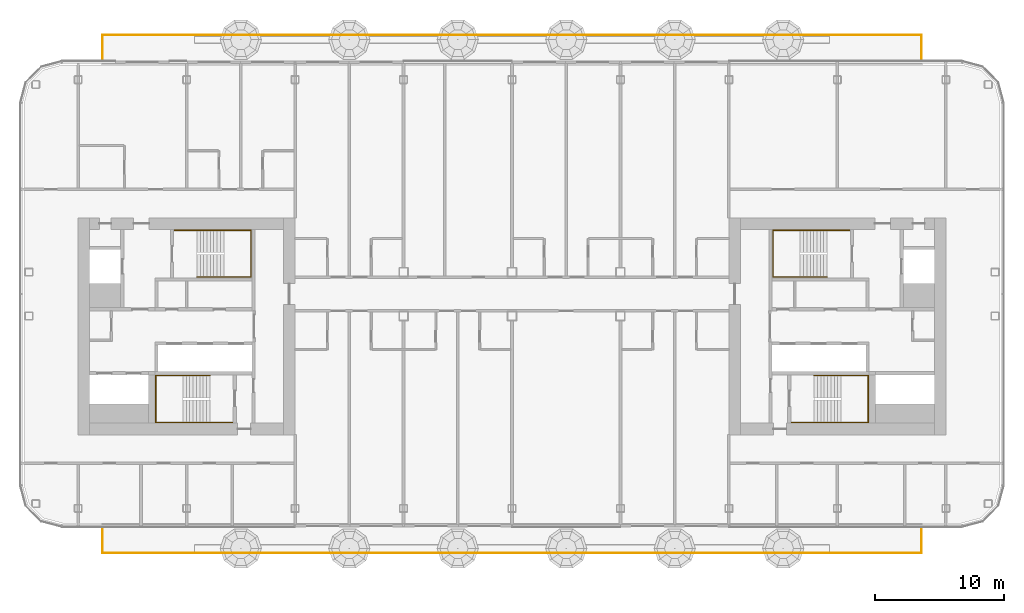
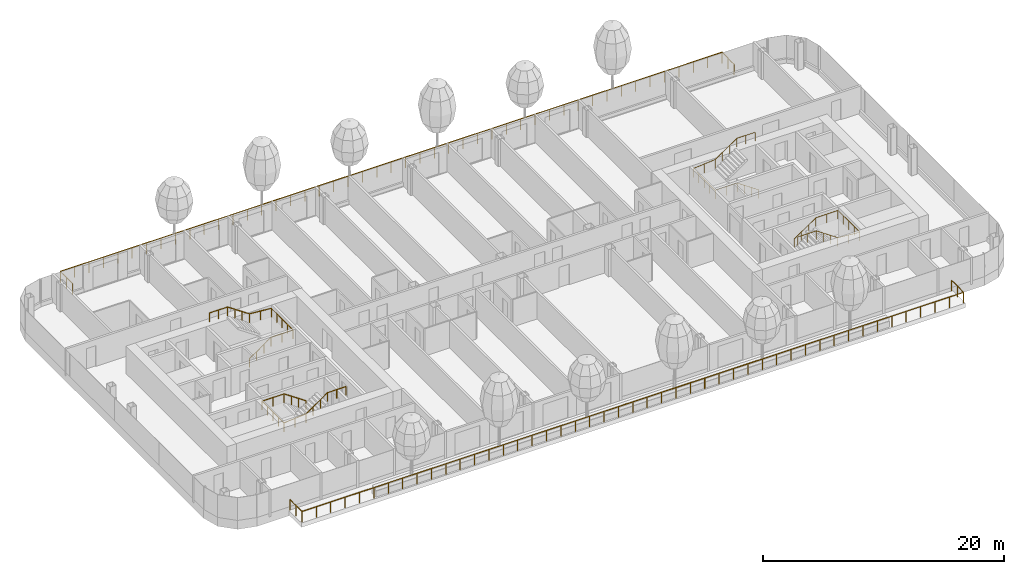
# One storey, part 25 of 29: 6 railings.
"""IFC4 building model written with IfcOpenShell, lengths in metres."""

from ifc_helpers import new_model, si_unit, direction, frame, origin, origin_2d, place, context, subcontext, project, spatial, circle, extrude, material, type_object, element, save


model = new_model("IFC4")

# Units and contexts
model_context = context("Model", 3, precision=1e-05, world=origin(), true_north=direction((0.0, 1.0)))
body_context = subcontext(model_context, "Body", "Model", "MODEL_VIEW")
ifc_project = project(units=[si_unit("LENGTHUNIT", "METRE"), si_unit("AREAUNIT", "SQUARE_METRE"), si_unit("VOLUMEUNIT", "CUBIC_METRE"), si_unit("PLANEANGLEUNIT", "RADIAN"), si_unit("MASSUNIT", "GRAM", prefix="KILO")], contexts=[model_context])

# Site, building, storey
site_placement = place(None, origin())
site = spatial("IfcSite", under=ifc_project, at=site_placement, CompositionType="ELEMENT")
building_placement = place(site_placement, origin())
building = spatial("IfcBuilding", under=site, at=building_placement, Name="Hakoniwa Tower and Hamabe Station Hall", CompositionType="ELEMENT")
storey_placement = place(building_placement, frame((0.0, 0.0, 205.800048828125)))
storey = spatial("IfcBuildingStorey", under=building, at=storey_placement, Name="L58", CompositionType="ELEMENT", Elevation=205.800048828125)

# Railings
ifc_material_1 = material(Name="Stainless steel and laminated glass", Category="steel")
railing_type_1 = type_object("IfcRailingType", Name="BALCONY BALUSTRADE 1100", PredefinedType="BALUSTRADE", material=ifc_material_1)
railing_1_placement = place(storey_placement, frame((-31.699951171875, 20.550048828125, 0.0)))
element("IfcRailing", 1, at=railing_1_placement, inside=storey, type_object=railing_type_1, Name="Balcony balustrade", PredefinedType="BALUSTRADE", context=body_context, shape_type="SweptSolid", body=[
    extrude(circle(Radius=0.02392578125, at=origin_2d()), frame((0.0, 0.0, 1.076171875), z_axis=(0.0, 1.0, 0.0), x_axis=(-1.0, 0.0, 0.0)), (0.0, 0.0, 1.0), 2.0),
    extrude(circle(Radius=0.02392578125, at=origin_2d()), frame((0.0, 2.0, 1.076171875), z_axis=(1.0, 0.0, 0.0), x_axis=(0.0, 1.0, 0.0)), (0.0, 0.0, 1.0), 63.39990234375),
    extrude(circle(Radius=0.02392578125, at=origin_2d()), frame((63.39990234375, 2.0, 1.076171875), z_axis=(0.0, -1.0, 0.0), x_axis=(1.0, 0.0, 0.0)), (0.0, 0.0, 1.0), 2.0),
    extrude(circle(Radius=0.02099609375, at=origin_2d()), origin(), (0.0, 0.0, 1.0), 1.052001953125),
    extrude(circle(Radius=0.02099609375, at=origin_2d()), frame((0.0, 1.0, 0.0)), (0.0, 0.0, 1.0), 1.052001953125),
    extrude(circle(Radius=0.02099609375, at=origin_2d()), frame((0.0, 2.0, 0.0)), (0.0, 0.0, 1.0), 1.052001953125),
    extrude(circle(Radius=0.02099609375, at=origin_2d()), frame((1.378173828125, 2.0, 0.0)), (0.0, 0.0, 1.0), 1.052001953125),
    extrude(circle(Radius=0.02099609375, at=origin_2d()), frame((2.756591796875, 2.0, 0.0)), (0.0, 0.0, 1.0), 1.052001953125),
    extrude(circle(Radius=0.02099609375, at=origin_2d()), frame((4.134765625, 2.0, 0.0)), (0.0, 0.0, 1.0), 1.052001953125),
    extrude(circle(Radius=0.02099609375, at=origin_2d()), frame((5.512939453125, 2.0, 0.0)), (0.0, 0.0, 1.0), 1.052001953125),
    extrude(circle(Radius=0.02099609375, at=origin_2d()), frame((6.891357421875, 2.0, 0.0)), (0.0, 0.0, 1.0), 1.052001953125),
    extrude(circle(Radius=0.02099609375, at=origin_2d()), frame((8.26953125, 2.0, 0.0)), (0.0, 0.0, 1.0), 1.052001953125),
    extrude(circle(Radius=0.02099609375, at=origin_2d()), frame((9.647705078125, 2.0, 0.0)), (0.0, 0.0, 1.0), 1.052001953125),
    extrude(circle(Radius=0.02099609375, at=origin_2d()), frame((11.026123046875, 2.0, 0.0)), (0.0, 0.0, 1.0), 1.052001953125),
    extrude(circle(Radius=0.02099609375, at=origin_2d()), frame((12.404296875, 2.0, 0.0)), (0.0, 0.0, 1.0), 1.052001953125),
    extrude(circle(Radius=0.02099609375, at=origin_2d()), frame((13.782470703125, 2.0, 0.0)), (0.0, 0.0, 1.0), 1.052001953125),
    extrude(circle(Radius=0.02099609375, at=origin_2d()), frame((15.160888671875, 2.0, 0.0)), (0.0, 0.0, 1.0), 1.052001953125),
    extrude(circle(Radius=0.02099609375, at=origin_2d()), frame((16.5390625, 2.0, 0.0)), (0.0, 0.0, 1.0), 1.052001953125),
    extrude(circle(Radius=0.02099609375, at=origin_2d()), frame((17.91748046875, 2.0, 0.0)), (0.0, 0.0, 1.0), 1.052001953125),
    extrude(circle(Radius=0.02099609375, at=origin_2d()), frame((19.295654296875, 2.0, 0.0)), (0.0, 0.0, 1.0), 1.052001953125),
    extrude(circle(Radius=0.02099609375, at=origin_2d()), frame((20.673828125, 2.0, 0.0)), (0.0, 0.0, 1.0), 1.052001953125),
    extrude(circle(Radius=0.02099609375, at=origin_2d()), frame((22.05224609375, 2.0, 0.0)), (0.0, 0.0, 1.0), 1.052001953125),
    extrude(circle(Radius=0.02099609375, at=origin_2d()), frame((23.430419921875, 2.0, 0.0)), (0.0, 0.0, 1.0), 1.052001953125),
    extrude(circle(Radius=0.02099609375, at=origin_2d()), frame((24.80859375, 2.0, 0.0)), (0.0, 0.0, 1.0), 1.052001953125),
    extrude(circle(Radius=0.02099609375, at=origin_2d()), frame((26.18701171875, 2.0, 0.0)), (0.0, 0.0, 1.0), 1.052001953125),
    extrude(circle(Radius=0.02099609375, at=origin_2d()), frame((27.565185546875, 2.0, 0.0)), (0.0, 0.0, 1.0), 1.052001953125),
    extrude(circle(Radius=0.02099609375, at=origin_2d()), frame((28.943359375, 2.0, 0.0)), (0.0, 0.0, 1.0), 1.052001953125),
    extrude(circle(Radius=0.02099609375, at=origin_2d()), frame((30.32177734375, 2.0, 0.0)), (0.0, 0.0, 1.0), 1.052001953125),
    extrude(circle(Radius=0.02099609375, at=origin_2d()), frame((31.699951171875, 2.0, 0.0)), (0.0, 0.0, 1.0), 1.052001953125),
    extrude(circle(Radius=0.02099609375, at=origin_2d()), frame((33.078125, 2.0, 0.0)), (0.0, 0.0, 1.0), 1.052001953125),
    extrude(circle(Radius=0.02099609375, at=origin_2d()), frame((34.45654296875, 2.0, 0.0)), (0.0, 0.0, 1.0), 1.052001953125),
    extrude(circle(Radius=0.02099609375, at=origin_2d()), frame((35.834716796875, 2.0, 0.0)), (0.0, 0.0, 1.0), 1.052001953125),
    extrude(circle(Radius=0.02099609375, at=origin_2d()), frame((37.212890625, 2.0, 0.0)), (0.0, 0.0, 1.0), 1.052001953125),
    extrude(circle(Radius=0.02099609375, at=origin_2d()), frame((38.59130859375, 2.0, 0.0)), (0.0, 0.0, 1.0), 1.052001953125),
    extrude(circle(Radius=0.02099609375, at=origin_2d()), frame((39.969482421875, 2.0, 0.0)), (0.0, 0.0, 1.0), 1.052001953125),
    extrude(circle(Radius=0.02099609375, at=origin_2d()), frame((41.34765625, 2.0, 0.0)), (0.0, 0.0, 1.0), 1.052001953125),
    extrude(circle(Radius=0.02099609375, at=origin_2d()), frame((42.72607421875, 2.0, 0.0)), (0.0, 0.0, 1.0), 1.052001953125),
    extrude(circle(Radius=0.02099609375, at=origin_2d()), frame((44.104248046875, 2.0, 0.0)), (0.0, 0.0, 1.0), 1.052001953125),
    extrude(circle(Radius=0.02099609375, at=origin_2d()), frame((45.482421875, 2.0, 0.0)), (0.0, 0.0, 1.0), 1.052001953125),
    extrude(circle(Radius=0.02099609375, at=origin_2d()), frame((46.86083984375, 2.0, 0.0)), (0.0, 0.0, 1.0), 1.052001953125),
    extrude(circle(Radius=0.02099609375, at=origin_2d()), frame((48.239013671875, 2.0, 0.0)), (0.0, 0.0, 1.0), 1.052001953125),
    extrude(circle(Radius=0.02099609375, at=origin_2d()), frame((49.617431640625, 2.0, 0.0)), (0.0, 0.0, 1.0), 1.052001953125),
    extrude(circle(Radius=0.02099609375, at=origin_2d()), frame((50.99560546875, 2.0, 0.0)), (0.0, 0.0, 1.0), 1.052001953125),
    extrude(circle(Radius=0.02099609375, at=origin_2d()), frame((52.373779296875, 2.0, 0.0)), (0.0, 0.0, 1.0), 1.052001953125),
    extrude(circle(Radius=0.02099609375, at=origin_2d()), frame((53.752197265625, 2.0, 0.0)), (0.0, 0.0, 1.0), 1.052001953125),
    extrude(circle(Radius=0.02099609375, at=origin_2d()), frame((55.13037109375, 2.0, 0.0)), (0.0, 0.0, 1.0), 1.052001953125),
    extrude(circle(Radius=0.02099609375, at=origin_2d()), frame((56.508544921875, 2.0, 0.0)), (0.0, 0.0, 1.0), 1.052001953125),
    extrude(circle(Radius=0.02099609375, at=origin_2d()), frame((57.886962890625, 2.0, 0.0)), (0.0, 0.0, 1.0), 1.052001953125),
    extrude(circle(Radius=0.02099609375, at=origin_2d()), frame((59.26513671875, 2.0, 0.0)), (0.0, 0.0, 1.0), 1.052001953125),
    extrude(circle(Radius=0.02099609375, at=origin_2d()), frame((60.643310546875, 2.0, 0.0)), (0.0, 0.0, 1.0), 1.052001953125),
    extrude(circle(Radius=0.02099609375, at=origin_2d()), frame((62.021728515625, 2.0, 0.0)), (0.0, 0.0, 1.0), 1.052001953125),
    extrude(circle(Radius=0.02099609375, at=origin_2d()), frame((63.39990234375, 2.0, 0.0)), (0.0, 0.0, 1.0), 1.052001953125),
    extrude(circle(Radius=0.02099609375, at=origin_2d()), frame((63.39990234375, 1.0, 0.0)), (0.0, 0.0, 1.0), 1.052001953125),
    extrude(circle(Radius=0.02099609375, at=origin_2d()), frame((63.39990234375, 0.0, 0.0)), (0.0, 0.0, 1.0), 1.052001953125),
])
railing_2_placement = place(storey_placement, frame((-31.699951171875, -15.550048828125, 0.0)))
element("IfcRailing", 2, at=railing_2_placement, inside=storey, type_object=railing_type_1, Name="Balcony balustrade", PredefinedType="BALUSTRADE", context=body_context, shape_type="SweptSolid", body=[
    extrude(circle(Radius=0.02392578125, at=origin_2d()), frame((0.0, 0.0, 1.076171875), z_axis=(0.0, -1.0, 0.0), x_axis=(1.0, 0.0, 0.0)), (0.0, 0.0, 1.0), 2.0),
    extrude(circle(Radius=0.02392578125, at=origin_2d()), frame((0.0, -2.0, 1.076171875), z_axis=(1.0, 0.0, 0.0), x_axis=(0.0, 1.0, 0.0)), (0.0, 0.0, 1.0), 63.39990234375),
    extrude(circle(Radius=0.02392578125, at=origin_2d()), frame((63.39990234375, -2.0, 1.076171875), z_axis=(0.0, 1.0, 0.0), x_axis=(-1.0, 0.0, 0.0)), (0.0, 0.0, 1.0), 2.0),
    extrude(circle(Radius=0.02099609375, at=origin_2d()), origin(), (0.0, 0.0, 1.0), 1.052001953125),
    extrude(circle(Radius=0.02099609375, at=origin_2d()), frame((0.0, -1.0, 0.0)), (0.0, 0.0, 1.0), 1.052001953125),
    extrude(circle(Radius=0.02099609375, at=origin_2d()), frame((0.0, -2.0, 0.0)), (0.0, 0.0, 1.0), 1.052001953125),
    extrude(circle(Radius=0.02099609375, at=origin_2d()), frame((1.378173828125, -2.0, 0.0)), (0.0, 0.0, 1.0), 1.052001953125),
    extrude(circle(Radius=0.02099609375, at=origin_2d()), frame((2.756591796875, -2.0, 0.0)), (0.0, 0.0, 1.0), 1.052001953125),
    extrude(circle(Radius=0.02099609375, at=origin_2d()), frame((4.134765625, -2.0, 0.0)), (0.0, 0.0, 1.0), 1.052001953125),
    extrude(circle(Radius=0.02099609375, at=origin_2d()), frame((5.512939453125, -2.0, 0.0)), (0.0, 0.0, 1.0), 1.052001953125),
    extrude(circle(Radius=0.02099609375, at=origin_2d()), frame((6.891357421875, -2.0, 0.0)), (0.0, 0.0, 1.0), 1.052001953125),
    extrude(circle(Radius=0.02099609375, at=origin_2d()), frame((8.26953125, -2.0, 0.0)), (0.0, 0.0, 1.0), 1.052001953125),
    extrude(circle(Radius=0.02099609375, at=origin_2d()), frame((9.647705078125, -2.0, 0.0)), (0.0, 0.0, 1.0), 1.052001953125),
    extrude(circle(Radius=0.02099609375, at=origin_2d()), frame((11.026123046875, -2.0, 0.0)), (0.0, 0.0, 1.0), 1.052001953125),
    extrude(circle(Radius=0.02099609375, at=origin_2d()), frame((12.404296875, -2.0, 0.0)), (0.0, 0.0, 1.0), 1.052001953125),
    extrude(circle(Radius=0.02099609375, at=origin_2d()), frame((13.782470703125, -2.0, 0.0)), (0.0, 0.0, 1.0), 1.052001953125),
    extrude(circle(Radius=0.02099609375, at=origin_2d()), frame((15.160888671875, -2.0, 0.0)), (0.0, 0.0, 1.0), 1.052001953125),
    extrude(circle(Radius=0.02099609375, at=origin_2d()), frame((16.5390625, -2.0, 0.0)), (0.0, 0.0, 1.0), 1.052001953125),
    extrude(circle(Radius=0.02099609375, at=origin_2d()), frame((17.91748046875, -2.0, 0.0)), (0.0, 0.0, 1.0), 1.052001953125),
    extrude(circle(Radius=0.02099609375, at=origin_2d()), frame((19.295654296875, -2.0, 0.0)), (0.0, 0.0, 1.0), 1.052001953125),
    extrude(circle(Radius=0.02099609375, at=origin_2d()), frame((20.673828125, -2.0, 0.0)), (0.0, 0.0, 1.0), 1.052001953125),
    extrude(circle(Radius=0.02099609375, at=origin_2d()), frame((22.05224609375, -2.0, 0.0)), (0.0, 0.0, 1.0), 1.052001953125),
    extrude(circle(Radius=0.02099609375, at=origin_2d()), frame((23.430419921875, -2.0, 0.0)), (0.0, 0.0, 1.0), 1.052001953125),
    extrude(circle(Radius=0.02099609375, at=origin_2d()), frame((24.80859375, -2.0, 0.0)), (0.0, 0.0, 1.0), 1.052001953125),
    extrude(circle(Radius=0.02099609375, at=origin_2d()), frame((26.18701171875, -2.0, 0.0)), (0.0, 0.0, 1.0), 1.052001953125),
    extrude(circle(Radius=0.02099609375, at=origin_2d()), frame((27.565185546875, -2.0, 0.0)), (0.0, 0.0, 1.0), 1.052001953125),
    extrude(circle(Radius=0.02099609375, at=origin_2d()), frame((28.943359375, -2.0, 0.0)), (0.0, 0.0, 1.0), 1.052001953125),
    extrude(circle(Radius=0.02099609375, at=origin_2d()), frame((30.32177734375, -2.0, 0.0)), (0.0, 0.0, 1.0), 1.052001953125),
    extrude(circle(Radius=0.02099609375, at=origin_2d()), frame((31.699951171875, -2.0, 0.0)), (0.0, 0.0, 1.0), 1.052001953125),
    extrude(circle(Radius=0.02099609375, at=origin_2d()), frame((33.078125, -2.0, 0.0)), (0.0, 0.0, 1.0), 1.052001953125),
    extrude(circle(Radius=0.02099609375, at=origin_2d()), frame((34.45654296875, -2.0, 0.0)), (0.0, 0.0, 1.0), 1.052001953125),
    extrude(circle(Radius=0.02099609375, at=origin_2d()), frame((35.834716796875, -2.0, 0.0)), (0.0, 0.0, 1.0), 1.052001953125),
    extrude(circle(Radius=0.02099609375, at=origin_2d()), frame((37.212890625, -2.0, 0.0)), (0.0, 0.0, 1.0), 1.052001953125),
    extrude(circle(Radius=0.02099609375, at=origin_2d()), frame((38.59130859375, -2.0, 0.0)), (0.0, 0.0, 1.0), 1.052001953125),
    extrude(circle(Radius=0.02099609375, at=origin_2d()), frame((39.969482421875, -2.0, 0.0)), (0.0, 0.0, 1.0), 1.052001953125),
    extrude(circle(Radius=0.02099609375, at=origin_2d()), frame((41.34765625, -2.0, 0.0)), (0.0, 0.0, 1.0), 1.052001953125),
    extrude(circle(Radius=0.02099609375, at=origin_2d()), frame((42.72607421875, -2.0, 0.0)), (0.0, 0.0, 1.0), 1.052001953125),
    extrude(circle(Radius=0.02099609375, at=origin_2d()), frame((44.104248046875, -2.0, 0.0)), (0.0, 0.0, 1.0), 1.052001953125),
    extrude(circle(Radius=0.02099609375, at=origin_2d()), frame((45.482421875, -2.0, 0.0)), (0.0, 0.0, 1.0), 1.052001953125),
    extrude(circle(Radius=0.02099609375, at=origin_2d()), frame((46.86083984375, -2.0, 0.0)), (0.0, 0.0, 1.0), 1.052001953125),
    extrude(circle(Radius=0.02099609375, at=origin_2d()), frame((48.239013671875, -2.0, 0.0)), (0.0, 0.0, 1.0), 1.052001953125),
    extrude(circle(Radius=0.02099609375, at=origin_2d()), frame((49.617431640625, -2.0, 0.0)), (0.0, 0.0, 1.0), 1.052001953125),
    extrude(circle(Radius=0.02099609375, at=origin_2d()), frame((50.99560546875, -2.0, 0.0)), (0.0, 0.0, 1.0), 1.052001953125),
    extrude(circle(Radius=0.02099609375, at=origin_2d()), frame((52.373779296875, -2.0, 0.0)), (0.0, 0.0, 1.0), 1.052001953125),
    extrude(circle(Radius=0.02099609375, at=origin_2d()), frame((53.752197265625, -2.0, 0.0)), (0.0, 0.0, 1.0), 1.052001953125),
    extrude(circle(Radius=0.02099609375, at=origin_2d()), frame((55.13037109375, -2.0, 0.0)), (0.0, 0.0, 1.0), 1.052001953125),
    extrude(circle(Radius=0.02099609375, at=origin_2d()), frame((56.508544921875, -2.0, 0.0)), (0.0, 0.0, 1.0), 1.052001953125),
    extrude(circle(Radius=0.02099609375, at=origin_2d()), frame((57.886962890625, -2.0, 0.0)), (0.0, 0.0, 1.0), 1.052001953125),
    extrude(circle(Radius=0.02099609375, at=origin_2d()), frame((59.26513671875, -2.0, 0.0)), (0.0, 0.0, 1.0), 1.052001953125),
    extrude(circle(Radius=0.02099609375, at=origin_2d()), frame((60.643310546875, -2.0, 0.0)), (0.0, 0.0, 1.0), 1.052001953125),
    extrude(circle(Radius=0.02099609375, at=origin_2d()), frame((62.021728515625, -2.0, 0.0)), (0.0, 0.0, 1.0), 1.052001953125),
    extrude(circle(Radius=0.02099609375, at=origin_2d()), frame((63.39990234375, -2.0, 0.0)), (0.0, 0.0, 1.0), 1.052001953125),
    extrude(circle(Radius=0.02099609375, at=origin_2d()), frame((63.39990234375, -1.0, 0.0)), (0.0, 0.0, 1.0), 1.052001953125),
    extrude(circle(Radius=0.02099609375, at=origin_2d()), frame((63.39990234375, 0.0, 0.0)), (0.0, 0.0, 1.0), 1.052001953125),
])
ifc_material_2 = material(Name="Stainless steel SUS304", Category="steel")
railing_type_2 = type_object("IfcRailingType", Name="STAIR HANDRAIL 900", PredefinedType="HANDRAIL", material=ifc_material_2)
railing_3_placement = place(storey_placement, frame((-24.39990234375, 3.81005859375, 0.177734375)))
element("IfcRailing", 3, at=railing_3_placement, inside=storey, type_object=railing_type_2, Name="Handrail ST-1 L58 1", PredefinedType="HANDRAIL", context=body_context, shape_type="SweptSolid", body=[
    extrude(circle(Radius=0.02392578125, at=origin_2d()), frame((0.0, 0.0, 0.8759765625), z_axis=(0.825478349766, 0.0, 0.564433781827), x_axis=(0.0, 1.0, 0.0)), (0.0, 0.0, 1.0), 2.51953125),
    extrude(circle(Radius=0.02392578125, at=origin_2d()), frame((2.079833984375, 0.0, 2.2978515625), z_axis=(1.0, 0.0, 0.0), x_axis=(0.0, 1.0, 0.0)), (0.0, 0.0, 1.0), 2.110107421875),
    extrude(circle(Radius=0.02392578125, at=origin_2d()), frame((4.18994140625, 0.0, 2.2978515625), z_axis=(0.0, 1.0, 0.0), x_axis=(-1.0, 0.0, 0.0)), (0.0, 0.0, 1.0), 3.6298828125),
    extrude(circle(Radius=0.02392578125, at=origin_2d()), frame((4.18994140625, 3.6298828125, 2.2978515625), z_axis=(-0.996461767938, 0.0, 0.084047278587), x_axis=(0.0, -1.0, 0.0)), (0.0, 0.0, 1.0), 2.11767578125),
    extrude(circle(Radius=0.02392578125, at=origin_2d()), frame((2.079833984375, 3.6298828125, 2.47607421875), z_axis=(-0.825478349766, 0.0, 0.564433781827), x_axis=(0.0, -1.0, 0.0)), (0.0, 0.0, 1.0), 2.51953125),
    extrude(circle(Radius=0.02392578125, at=origin_2d()), frame((0.0, 3.6298828125, 3.89794921875), z_axis=(-1.0, 0.0, 0.0), x_axis=(0.0, -1.0, 0.0)), (0.0, 0.0, 1.0), 1.739990234375),
    extrude(circle(Radius=0.02099609375, at=origin_2d()), origin(), (0.0, 0.0, 1.0), 0.851806640625),
    extrude(circle(Radius=0.02099609375, at=origin_2d()), frame((0.693359375, 0.0, 0.47412109375)), (0.0, 0.0, 1.0), 0.851806640625),
    extrude(circle(Radius=0.02099609375, at=origin_2d()), frame((1.386474609375, 0.0, 0.947998046875)), (0.0, 0.0, 1.0), 0.851806640625),
    extrude(circle(Radius=0.02099609375, at=origin_2d()), frame((2.079833984375, 0.0, 1.422119140625)), (0.0, 0.0, 1.0), 0.851806640625),
    extrude(circle(Radius=0.02099609375, at=origin_2d()), frame((3.134765625, 0.0, 1.422119140625)), (0.0, 0.0, 1.0), 0.851806640625),
    extrude(circle(Radius=0.02099609375, at=origin_2d()), frame((4.18994140625, 0.0, 1.422119140625)), (0.0, 0.0, 1.0), 0.851806640625),
    extrude(circle(Radius=0.02099609375, at=origin_2d()), frame((4.18994140625, 0.907470703125, 1.422119140625)), (0.0, 0.0, 1.0), 0.851806640625),
    extrude(circle(Radius=0.02099609375, at=origin_2d()), frame((4.18994140625, 1.81494140625, 1.422119140625)), (0.0, 0.0, 1.0), 0.851806640625),
    extrude(circle(Radius=0.02099609375, at=origin_2d()), frame((4.18994140625, 2.722412109375, 1.422119140625)), (0.0, 0.0, 1.0), 0.851806640625),
    extrude(circle(Radius=0.02099609375, at=origin_2d()), frame((4.18994140625, 3.6298828125, 1.422119140625)), (0.0, 0.0, 1.0), 0.851806640625),
    extrude(circle(Radius=0.02099609375, at=origin_2d()), frame((3.134765625, 3.6298828125, 1.51123046875)), (0.0, 0.0, 1.0), 0.851806640625),
    extrude(circle(Radius=0.02099609375, at=origin_2d()), frame((2.079833984375, 3.6298828125, 1.60009765625)), (0.0, 0.0, 1.0), 0.851806640625),
    extrude(circle(Radius=0.02099609375, at=origin_2d()), frame((1.386474609375, 3.6298828125, 2.07421875)), (0.0, 0.0, 1.0), 0.851806640625),
    extrude(circle(Radius=0.02099609375, at=origin_2d()), frame((0.693359375, 3.6298828125, 2.548095703125)), (0.0, 0.0, 1.0), 0.851806640625),
    extrude(circle(Radius=0.02099609375, at=origin_2d()), frame((0.0, 3.6298828125, 3.022216796875)), (0.0, 0.0, 1.0), 0.851806640625),
    extrude(circle(Radius=0.02099609375, at=origin_2d()), frame((-0.8701171875, 3.6298828125, 3.022216796875)), (0.0, 0.0, 1.0), 0.851806640625),
    extrude(circle(Radius=0.02099609375, at=origin_2d()), frame((-1.739990234375, 3.6298828125, 3.022216796875)), (0.0, 0.0, 1.0), 0.851806640625),
])
railing_4_placement = place(storey_placement, frame((-23.39990234375, -3.81005859375, 0.177734375)))
element("IfcRailing", 4, at=railing_4_placement, inside=storey, type_object=railing_type_2, Name="Handrail ST-2 L58 1", PredefinedType="HANDRAIL", context=body_context, shape_type="SweptSolid", body=[
    extrude(circle(Radius=0.02392578125, at=origin_2d()), frame((0.0, 0.0, 0.8759765625), z_axis=(-0.82550921652, 0.0, 0.564388636881), x_axis=(0.0, -1.0, 0.0)), (0.0, 0.0, 1.0), 2.519775390625),
    extrude(circle(Radius=0.02392578125, at=origin_2d()), frame((-2.080078125, 0.0, 2.2978515625), z_axis=(-1.0, 0.0, 0.0), x_axis=(0.0, -1.0, 0.0)), (0.0, 0.0, 1.0), 2.110107421875),
    extrude(circle(Radius=0.02392578125, at=origin_2d()), frame((-4.190185546875, 0.0, 2.2978515625), z_axis=(0.0, -1.0, 0.0), x_axis=(1.0, 0.0, 0.0)), (0.0, 0.0, 1.0), 3.6298828125),
    extrude(circle(Radius=0.02392578125, at=origin_2d()), frame((-4.190185546875, -3.6298828125, 2.2978515625), z_axis=(0.996461767938, 0.0, 0.084047278587), x_axis=(0.0, 1.0, 0.0)), (0.0, 0.0, 1.0), 2.11767578125),
    extrude(circle(Radius=0.02392578125, at=origin_2d()), frame((-2.080078125, -3.6298828125, 2.47607421875), z_axis=(0.82550921652, 0.0, 0.564388636881), x_axis=(0.0, 1.0, 0.0)), (0.0, 0.0, 1.0), 2.519775390625),
    extrude(circle(Radius=0.02392578125, at=origin_2d()), frame((0.0, -3.6298828125, 3.89794921875), z_axis=(1.0, 0.0, 0.0), x_axis=(0.0, 1.0, 0.0)), (0.0, 0.0, 1.0), 1.739990234375),
    extrude(circle(Radius=0.02099609375, at=origin_2d()), origin(), (0.0, 0.0, 1.0), 0.851806640625),
    extrude(circle(Radius=0.02099609375, at=origin_2d()), frame((-0.693359375, 0.0, 0.47412109375)), (0.0, 0.0, 1.0), 0.851806640625),
    extrude(circle(Radius=0.02099609375, at=origin_2d()), frame((-1.38671875, 0.0, 0.947998046875)), (0.0, 0.0, 1.0), 0.851806640625),
    extrude(circle(Radius=0.02099609375, at=origin_2d()), frame((-2.080078125, 0.0, 1.422119140625)), (0.0, 0.0, 1.0), 0.851806640625),
    extrude(circle(Radius=0.02099609375, at=origin_2d()), frame((-3.13525390625, 0.0, 1.422119140625)), (0.0, 0.0, 1.0), 0.851806640625),
    extrude(circle(Radius=0.02099609375, at=origin_2d()), frame((-4.190185546875, 0.0, 1.422119140625)), (0.0, 0.0, 1.0), 0.851806640625),
    extrude(circle(Radius=0.02099609375, at=origin_2d()), frame((-4.190185546875, -0.907470703125, 1.422119140625)), (0.0, 0.0, 1.0), 0.851806640625),
    extrude(circle(Radius=0.02099609375, at=origin_2d()), frame((-4.190185546875, -1.81494140625, 1.422119140625)), (0.0, 0.0, 1.0), 0.851806640625),
    extrude(circle(Radius=0.02099609375, at=origin_2d()), frame((-4.190185546875, -2.722412109375, 1.422119140625)), (0.0, 0.0, 1.0), 0.851806640625),
    extrude(circle(Radius=0.02099609375, at=origin_2d()), frame((-4.190185546875, -3.6298828125, 1.422119140625)), (0.0, 0.0, 1.0), 0.851806640625),
    extrude(circle(Radius=0.02099609375, at=origin_2d()), frame((-3.13525390625, -3.6298828125, 1.51123046875)), (0.0, 0.0, 1.0), 0.851806640625),
    extrude(circle(Radius=0.02099609375, at=origin_2d()), frame((-2.080078125, -3.6298828125, 1.60009765625)), (0.0, 0.0, 1.0), 0.851806640625),
    extrude(circle(Radius=0.02099609375, at=origin_2d()), frame((-1.38671875, -3.6298828125, 2.07421875)), (0.0, 0.0, 1.0), 0.851806640625),
    extrude(circle(Radius=0.02099609375, at=origin_2d()), frame((-0.693359375, -3.6298828125, 2.548095703125)), (0.0, 0.0, 1.0), 0.851806640625),
    extrude(circle(Radius=0.02099609375, at=origin_2d()), frame((0.0, -3.6298828125, 3.022216796875)), (0.0, 0.0, 1.0), 0.851806640625),
    extrude(circle(Radius=0.02099609375, at=origin_2d()), frame((0.8701171875, -3.6298828125, 3.022216796875)), (0.0, 0.0, 1.0), 0.851806640625),
    extrude(circle(Radius=0.02099609375, at=origin_2d()), frame((1.739990234375, -3.6298828125, 3.022216796875)), (0.0, 0.0, 1.0), 0.851806640625),
])
railing_5_placement = place(storey_placement, frame((24.39990234375, 3.81005859375, 0.177734375)))
element("IfcRailing", 5, at=railing_5_placement, inside=storey, type_object=railing_type_2, Name="Handrail ST-3 L58 1", PredefinedType="HANDRAIL", context=body_context, shape_type="SweptSolid", body=[
    extrude(circle(Radius=0.02392578125, at=origin_2d()), frame((0.0, 0.0, 0.8759765625), z_axis=(-0.825478349766, 0.0, 0.564433781827), x_axis=(0.0, -1.0, 0.0)), (0.0, 0.0, 1.0), 2.51953125),
    extrude(circle(Radius=0.02392578125, at=origin_2d()), frame((-2.079833984375, 0.0, 2.2978515625), z_axis=(-1.0, 0.0, 0.0), x_axis=(0.0, -1.0, 0.0)), (0.0, 0.0, 1.0), 2.110107421875),
    extrude(circle(Radius=0.02392578125, at=origin_2d()), frame((-4.18994140625, 0.0, 2.2978515625), z_axis=(0.0, 1.0, 0.0), x_axis=(-1.0, 0.0, 0.0)), (0.0, 0.0, 1.0), 3.6298828125),
    extrude(circle(Radius=0.02392578125, at=origin_2d()), frame((-4.18994140625, 3.6298828125, 2.2978515625), z_axis=(0.996461767938, 0.0, 0.084047278587), x_axis=(0.0, 1.0, 0.0)), (0.0, 0.0, 1.0), 2.11767578125),
    extrude(circle(Radius=0.02392578125, at=origin_2d()), frame((-2.079833984375, 3.6298828125, 2.47607421875), z_axis=(0.825478349766, 0.0, 0.564433781827), x_axis=(0.0, 1.0, 0.0)), (0.0, 0.0, 1.0), 2.51953125),
    extrude(circle(Radius=0.02392578125, at=origin_2d()), frame((0.0, 3.6298828125, 3.89794921875), z_axis=(1.0, 0.0, 0.0), x_axis=(0.0, 1.0, 0.0)), (0.0, 0.0, 1.0), 1.739990234375),
    extrude(circle(Radius=0.02099609375, at=origin_2d()), origin(), (0.0, 0.0, 1.0), 0.851806640625),
    extrude(circle(Radius=0.02099609375, at=origin_2d()), frame((-0.693359375, 0.0, 0.47412109375)), (0.0, 0.0, 1.0), 0.851806640625),
    extrude(circle(Radius=0.02099609375, at=origin_2d()), frame((-1.386474609375, 0.0, 0.947998046875)), (0.0, 0.0, 1.0), 0.851806640625),
    extrude(circle(Radius=0.02099609375, at=origin_2d()), frame((-2.079833984375, 0.0, 1.422119140625)), (0.0, 0.0, 1.0), 0.851806640625),
    extrude(circle(Radius=0.02099609375, at=origin_2d()), frame((-3.134765625, 0.0, 1.422119140625)), (0.0, 0.0, 1.0), 0.851806640625),
    extrude(circle(Radius=0.02099609375, at=origin_2d()), frame((-4.18994140625, 0.0, 1.422119140625)), (0.0, 0.0, 1.0), 0.851806640625),
    extrude(circle(Radius=0.02099609375, at=origin_2d()), frame((-4.18994140625, 0.907470703125, 1.422119140625)), (0.0, 0.0, 1.0), 0.851806640625),
    extrude(circle(Radius=0.02099609375, at=origin_2d()), frame((-4.18994140625, 1.81494140625, 1.422119140625)), (0.0, 0.0, 1.0), 0.851806640625),
    extrude(circle(Radius=0.02099609375, at=origin_2d()), frame((-4.18994140625, 2.722412109375, 1.422119140625)), (0.0, 0.0, 1.0), 0.851806640625),
    extrude(circle(Radius=0.02099609375, at=origin_2d()), frame((-4.18994140625, 3.6298828125, 1.422119140625)), (0.0, 0.0, 1.0), 0.851806640625),
    extrude(circle(Radius=0.02099609375, at=origin_2d()), frame((-3.134765625, 3.6298828125, 1.51123046875)), (0.0, 0.0, 1.0), 0.851806640625),
    extrude(circle(Radius=0.02099609375, at=origin_2d()), frame((-2.079833984375, 3.6298828125, 1.60009765625)), (0.0, 0.0, 1.0), 0.851806640625),
    extrude(circle(Radius=0.02099609375, at=origin_2d()), frame((-1.386474609375, 3.6298828125, 2.07421875)), (0.0, 0.0, 1.0), 0.851806640625),
    extrude(circle(Radius=0.02099609375, at=origin_2d()), frame((-0.693359375, 3.6298828125, 2.548095703125)), (0.0, 0.0, 1.0), 0.851806640625),
    extrude(circle(Radius=0.02099609375, at=origin_2d()), frame((0.0, 3.6298828125, 3.022216796875)), (0.0, 0.0, 1.0), 0.851806640625),
    extrude(circle(Radius=0.02099609375, at=origin_2d()), frame((0.8701171875, 3.6298828125, 3.022216796875)), (0.0, 0.0, 1.0), 0.851806640625),
    extrude(circle(Radius=0.02099609375, at=origin_2d()), frame((1.739990234375, 3.6298828125, 3.022216796875)), (0.0, 0.0, 1.0), 0.851806640625),
])
railing_6_placement = place(storey_placement, frame((23.39990234375, -3.81005859375, 0.177734375)))
element("IfcRailing", 6, at=railing_6_placement, inside=storey, type_object=railing_type_2, Name="Handrail ST-4 L58 1", PredefinedType="HANDRAIL", context=body_context, shape_type="SweptSolid", body=[
    extrude(circle(Radius=0.02392578125, at=origin_2d()), frame((0.0, 0.0, 0.8759765625), z_axis=(0.82550921652, 0.0, 0.564388636881), x_axis=(0.0, 1.0, 0.0)), (0.0, 0.0, 1.0), 2.519775390625),
    extrude(circle(Radius=0.02392578125, at=origin_2d()), frame((2.080078125, 0.0, 2.2978515625), z_axis=(1.0, 0.0, 0.0), x_axis=(0.0, 1.0, 0.0)), (0.0, 0.0, 1.0), 2.110107421875),
    extrude(circle(Radius=0.02392578125, at=origin_2d()), frame((4.190185546875, 0.0, 2.2978515625), z_axis=(0.0, -1.0, 0.0), x_axis=(1.0, 0.0, 0.0)), (0.0, 0.0, 1.0), 3.6298828125),
    extrude(circle(Radius=0.02392578125, at=origin_2d()), frame((4.190185546875, -3.6298828125, 2.2978515625), z_axis=(-0.996461767938, 0.0, 0.084047278587), x_axis=(0.0, -1.0, 0.0)), (0.0, 0.0, 1.0), 2.11767578125),
    extrude(circle(Radius=0.02392578125, at=origin_2d()), frame((2.080078125, -3.6298828125, 2.47607421875), z_axis=(-0.82550921652, 0.0, 0.564388636881), x_axis=(0.0, -1.0, 0.0)), (0.0, 0.0, 1.0), 2.519775390625),
    extrude(circle(Radius=0.02392578125, at=origin_2d()), frame((0.0, -3.6298828125, 3.89794921875), z_axis=(-1.0, 0.0, 0.0), x_axis=(0.0, -1.0, 0.0)), (0.0, 0.0, 1.0), 1.739990234375),
    extrude(circle(Radius=0.02099609375, at=origin_2d()), origin(), (0.0, 0.0, 1.0), 0.851806640625),
    extrude(circle(Radius=0.02099609375, at=origin_2d()), frame((0.693359375, 0.0, 0.47412109375)), (0.0, 0.0, 1.0), 0.851806640625),
    extrude(circle(Radius=0.02099609375, at=origin_2d()), frame((1.38671875, 0.0, 0.947998046875)), (0.0, 0.0, 1.0), 0.851806640625),
    extrude(circle(Radius=0.02099609375, at=origin_2d()), frame((2.080078125, 0.0, 1.422119140625)), (0.0, 0.0, 1.0), 0.851806640625),
    extrude(circle(Radius=0.02099609375, at=origin_2d()), frame((3.13525390625, 0.0, 1.422119140625)), (0.0, 0.0, 1.0), 0.851806640625),
    extrude(circle(Radius=0.02099609375, at=origin_2d()), frame((4.190185546875, 0.0, 1.422119140625)), (0.0, 0.0, 1.0), 0.851806640625),
    extrude(circle(Radius=0.02099609375, at=origin_2d()), frame((4.190185546875, -0.907470703125, 1.422119140625)), (0.0, 0.0, 1.0), 0.851806640625),
    extrude(circle(Radius=0.02099609375, at=origin_2d()), frame((4.190185546875, -1.81494140625, 1.422119140625)), (0.0, 0.0, 1.0), 0.851806640625),
    extrude(circle(Radius=0.02099609375, at=origin_2d()), frame((4.190185546875, -2.722412109375, 1.422119140625)), (0.0, 0.0, 1.0), 0.851806640625),
    extrude(circle(Radius=0.02099609375, at=origin_2d()), frame((4.190185546875, -3.6298828125, 1.422119140625)), (0.0, 0.0, 1.0), 0.851806640625),
    extrude(circle(Radius=0.02099609375, at=origin_2d()), frame((3.13525390625, -3.6298828125, 1.51123046875)), (0.0, 0.0, 1.0), 0.851806640625),
    extrude(circle(Radius=0.02099609375, at=origin_2d()), frame((2.080078125, -3.6298828125, 1.60009765625)), (0.0, 0.0, 1.0), 0.851806640625),
    extrude(circle(Radius=0.02099609375, at=origin_2d()), frame((1.38671875, -3.6298828125, 2.07421875)), (0.0, 0.0, 1.0), 0.851806640625),
    extrude(circle(Radius=0.02099609375, at=origin_2d()), frame((0.693359375, -3.6298828125, 2.548095703125)), (0.0, 0.0, 1.0), 0.851806640625),
    extrude(circle(Radius=0.02099609375, at=origin_2d()), frame((0.0, -3.6298828125, 3.022216796875)), (0.0, 0.0, 1.0), 0.851806640625),
    extrude(circle(Radius=0.02099609375, at=origin_2d()), frame((-0.8701171875, -3.6298828125, 3.022216796875)), (0.0, 0.0, 1.0), 0.851806640625),
    extrude(circle(Radius=0.02099609375, at=origin_2d()), frame((-1.739990234375, -3.6298828125, 3.022216796875)), (0.0, 0.0, 1.0), 0.851806640625),
])

save(model, "model.ifc")
